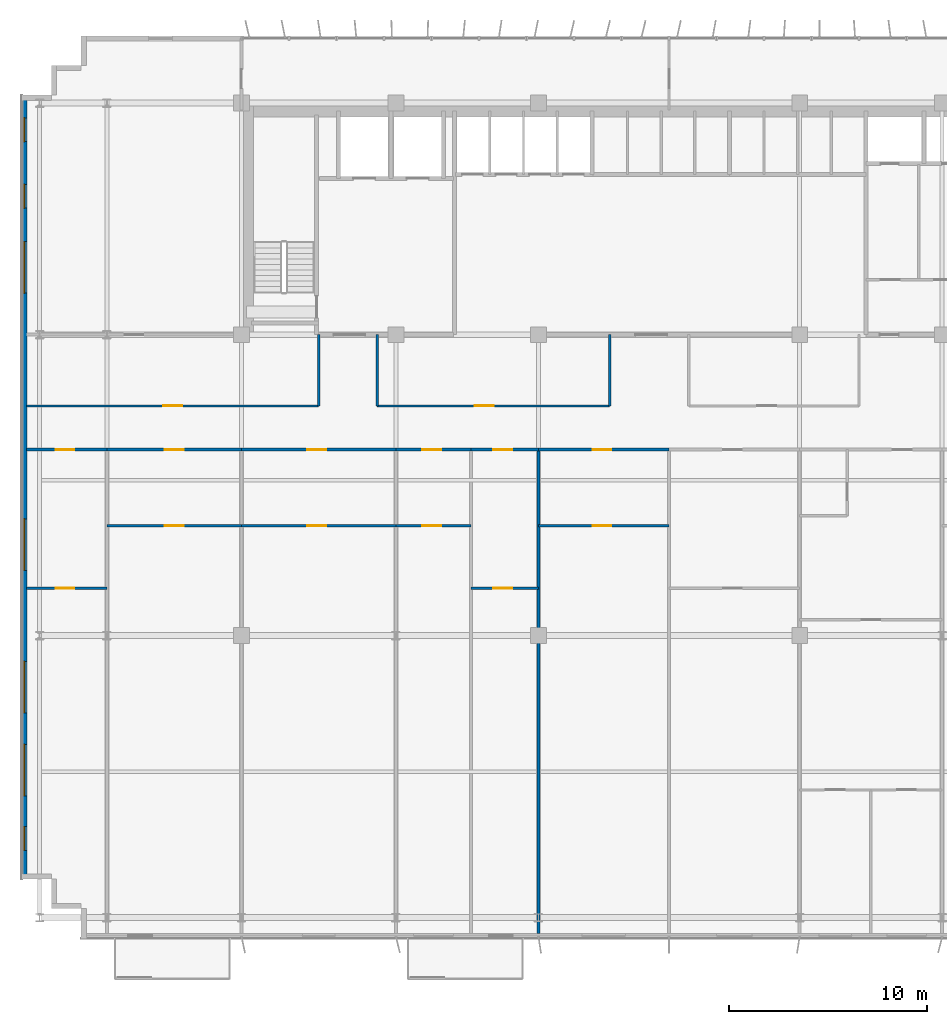
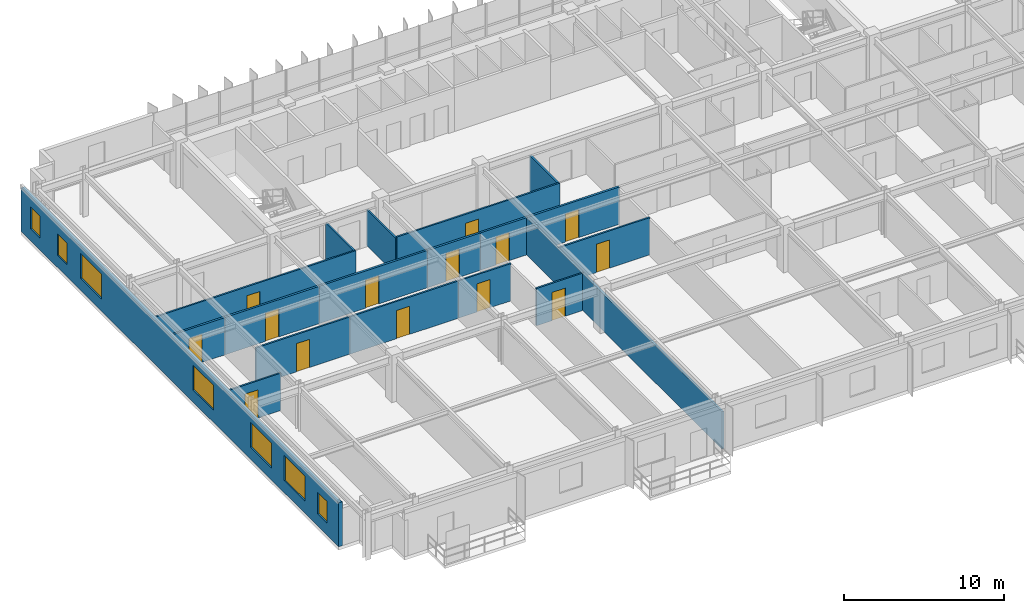
# One storey, part 14 of 21: 19 walls, 14 doors, 7 windows, 21 openings.
"""IFC4 building model written with IfcOpenShell, lengths in metres."""

from ifc_helpers import new_model, si_unit, direction, frame, frame_2d, origin, place, context, subcontext, project, spatial, rectangle, extrude, source, transform, mapped, material, layer, layer_set, type_object, element, fill, save


model = new_model("IFC4")

# Units and contexts
model_context = context("Model", 3, precision=1e-05, world=origin(), true_north=direction((0.0, 1.0)))
body_context = subcontext(model_context, "Body", "Model", "MODEL_VIEW")
ifc_project = project(units=[si_unit("LENGTHUNIT", "METRE"), si_unit("AREAUNIT", "SQUARE_METRE"), si_unit("VOLUMEUNIT", "CUBIC_METRE"), si_unit("PLANEANGLEUNIT", "RADIAN"), si_unit("MASSUNIT", "GRAM", prefix="KILO")], contexts=[model_context])

# Site, building, storey
site_placement = place(None, origin())
site = spatial("IfcSite", under=ifc_project, at=site_placement, CompositionType="ELEMENT")
building_placement = place(site_placement, origin())
building = spatial("IfcBuilding", under=site, at=building_placement, Name="Trelvane Seafront Commons", CompositionType="ELEMENT")
storey_placement = place(building_placement, frame((0.0, 0.0, 110.5)))
storey = spatial("IfcBuildingStorey", under=building, at=storey_placement, Name="L28", CompositionType="ELEMENT", Elevation=110.5)

# Wall, openings, windows
ifc_material_1 = material(Name="Precast concrete C40/50", Category="concrete")
ifc_layer_1 = layer(ifc_material_1, 0.260009765625, Name="ARCH-WALL-EXT260")
ifc_layer_set_1 = layer_set([ifc_layer_1], Name="Precast concrete C40/50")
wall_type_1 = type_object("IfcWallType", Name="ARCH-WALL-EXT260", PredefinedType="SOLIDWALL", material=ifc_layer_set_1)
wall_1_placement = place(storey_placement, frame((4.6298828125, 5.89990234375, 0.0), z_axis=(0.0, 0.0, 1.0), x_axis=(0.0, 1.0, 0.0)))
wall_1 = element("IfcWall", 1, at=wall_1_placement, inside=storey, type_object=wall_type_1, Name="EW-L28-00522", PredefinedType="SOLIDWALL", context=body_context, shape_type="SweptSolid", body=[
    extrude(rectangle(XDim=39.60009765625, YDim=0.260009765625, at=frame_2d((19.800048828125, 0.0))), origin(), (0.0, 0.0, 1.0), 3.340087890625),
])
opening_1_placement = place(wall_1_placement, frame((1.449951171875, 0.0, 0.919921875)))
opening_1 = element("IfcOpeningElement", 2, at=opening_1_placement, cuts=wall_1, Name="Opening W05", PredefinedType="OPENING", context=body_context, shape_type="SweptSolid", body=[
    extrude(rectangle(XDim=1.199951171875, YDim=1.64990234375, at=frame_2d((0.60009765625, 0.824951171875))), frame((0.0, 0.139892578125, 0.0), z_axis=(0.0, -1.0, 0.0), x_axis=(1.0, 0.0, 0.0)), (0.0, 0.0, 1.0), 0.280029296875),
])
opening_2_placement = place(wall_1_placement, frame((4.199951171875, 0.0, 0.919921875)))
opening_2 = element("IfcOpeningElement", 3, at=opening_2_placement, cuts=wall_1, Name="Opening W04", PredefinedType="OPENING", context=body_context, shape_type="SweptSolid", body=[
    extrude(rectangle(XDim=2.60009765625, YDim=1.89990234375, at=frame_2d((1.300048828125, 0.949951171875))), frame((0.0, 0.139892578125, 0.0), z_axis=(0.0, -1.0, 0.0), x_axis=(1.0, 0.0, 0.0)), (0.0, 0.0, 1.0), 0.280029296875),
])
opening_3_placement = place(wall_1_placement, frame((8.39990234375, 0.0, 0.919921875)))
opening_3 = element("IfcOpeningElement", 4, at=opening_3_placement, cuts=wall_1, Name="Opening W04", PredefinedType="OPENING", context=body_context, shape_type="SweptSolid", body=[
    extrude(rectangle(XDim=2.60009765625, YDim=1.89990234375, at=frame_2d((1.300048828125, 0.949951171875))), frame((0.0, 0.139892578125, 0.0), z_axis=(0.0, -1.0, 0.0), x_axis=(1.0, 0.0, 0.0)), (0.0, 0.0, 1.0), 0.280029296875),
])
opening_4_placement = place(wall_1_placement, frame((15.60009765625, 0.0, 0.919921875)))
opening_4 = element("IfcOpeningElement", 5, at=opening_4_placement, cuts=wall_1, Name="Opening W04", PredefinedType="OPENING", context=body_context, shape_type="SweptSolid", body=[
    extrude(rectangle(XDim=2.60009765625, YDim=1.89990234375, at=frame_2d((1.300048828125, 0.949951171875))), frame((0.0, 0.139892578125, 0.0), z_axis=(0.0, -1.0, 0.0), x_axis=(1.0, 0.0, 0.0)), (0.0, 0.0, 1.0), 0.280029296875),
])
opening_5_placement = place(wall_1_placement, frame((29.60009765625, 0.0, 0.919921875)))
opening_5 = element("IfcOpeningElement", 6, at=opening_5_placement, cuts=wall_1, Name="Opening W04", PredefinedType="OPENING", context=body_context, shape_type="SweptSolid", body=[
    extrude(rectangle(XDim=2.60009765625, YDim=1.89990234375, at=frame_2d((1.300048828125, 0.949951171875))), frame((0.0, 0.139892578125, 0.0), z_axis=(0.0, -1.0, 0.0), x_axis=(1.0, 0.0, 0.0)), (0.0, 0.0, 1.0), 0.280029296875),
])
opening_6_placement = place(wall_1_placement, frame((33.89990234375, 0.0, 0.919921875)))
opening_6 = element("IfcOpeningElement", 7, at=opening_6_placement, cuts=wall_1, Name="Opening W05", PredefinedType="OPENING", context=body_context, shape_type="SweptSolid", body=[
    extrude(rectangle(XDim=1.199951171875, YDim=1.64990234375, at=frame_2d((0.60009765625, 0.824951171875))), frame((0.0, 0.139892578125, 0.0), z_axis=(0.0, -1.0, 0.0), x_axis=(1.0, 0.0, 0.0)), (0.0, 0.0, 1.0), 0.280029296875),
])
opening_7_placement = place(wall_1_placement, frame((37.25, 0.0, 0.919921875)))
opening_7 = element("IfcOpeningElement", 8, at=opening_7_placement, cuts=wall_1, Name="Opening W05", PredefinedType="OPENING", context=body_context, shape_type="SweptSolid", body=[
    extrude(rectangle(XDim=1.199951171875, YDim=1.64990234375, at=frame_2d((0.60009765625, 0.824951171875))), frame((0.0, 0.139892578125, 0.0), z_axis=(0.0, -1.0, 0.0), x_axis=(1.0, 0.0, 0.0)), (0.0, 0.0, 1.0), 0.280029296875),
])
ifc_material_2 = material(Name="Low-E coastal double glazing", Category="glass")
window_type_1 = type_object("IfcWindowType", Name="ARCH-WIN-W04", PartitioningType="SINGLE_PANEL", PredefinedType="WINDOW", material=ifc_material_2)
shared_shape_1 = source(origin(), body_context, "Body", "SweptSolid", [
    extrude(rectangle(XDim=2.60009765625, YDim=1.89990234375, at=frame_2d((1.300048828125, 0.949951171875))), frame((0.0, 0.030029296875, 0.0), z_axis=(0.0, -1.0, 0.0), x_axis=(1.0, 0.0, 0.0)), (0.0, 0.0, 1.0), 0.06005859375),
])
window_1_placement = place(opening_2_placement, origin())
window_1 = element("IfcWindow", 9, at=window_1_placement, inside=storey, type_object=window_type_1, Name="WIN-L28-EW-00613", OverallHeight=1.89990234375, OverallWidth=2.60009765625, PartitioningType="SINGLE_PANEL", PredefinedType="WINDOW", context=body_context, shape_type="MappedRepresentation", body=[
    mapped(shared_shape_1, transform((0.0, 0.0, 0.0), x_axis=(1.0, 0.0, 0.0), y_axis=(0.0, 1.0, 0.0), z_axis=(0.0, 0.0, 1.0), scale=1.0)),
])
fill(opening_2, window_1)
window_2_placement = place(opening_3_placement, origin())
window_2 = element("IfcWindow", 10, at=window_2_placement, inside=storey, type_object=window_type_1, Name="WIN-L28-EW-00614", OverallHeight=1.89990234375, OverallWidth=2.60009765625, PartitioningType="SINGLE_PANEL", PredefinedType="WINDOW", context=body_context, shape_type="MappedRepresentation", body=[
    mapped(shared_shape_1, transform((0.0, 0.0, 0.0), x_axis=(1.0, 0.0, 0.0), y_axis=(0.0, 1.0, 0.0), z_axis=(0.0, 0.0, 1.0), scale=1.0)),
])
fill(opening_3, window_2)
window_3_placement = place(opening_4_placement, origin())
window_3 = element("IfcWindow", 11, at=window_3_placement, inside=storey, type_object=window_type_1, Name="WIN-L28-EW-00615", OverallHeight=1.89990234375, OverallWidth=2.60009765625, PartitioningType="SINGLE_PANEL", PredefinedType="WINDOW", context=body_context, shape_type="MappedRepresentation", body=[
    mapped(shared_shape_1, transform((0.0, 0.0, 0.0), x_axis=(1.0, 0.0, 0.0), y_axis=(0.0, 1.0, 0.0), z_axis=(0.0, 0.0, 1.0), scale=1.0)),
])
fill(opening_4, window_3)
window_4_placement = place(opening_5_placement, origin())
window_4 = element("IfcWindow", 12, at=window_4_placement, inside=storey, type_object=window_type_1, Name="WIN-L28-EW-00616", OverallHeight=1.89990234375, OverallWidth=2.60009765625, PartitioningType="SINGLE_PANEL", PredefinedType="WINDOW", context=body_context, shape_type="MappedRepresentation", body=[
    mapped(shared_shape_1, transform((0.0, 0.0, 0.0), x_axis=(1.0, 0.0, 0.0), y_axis=(0.0, 1.0, 0.0), z_axis=(0.0, 0.0, 1.0), scale=1.0)),
])
fill(opening_5, window_4)
window_type_2 = type_object("IfcWindowType", Name="ARCH-WIN-W05", PartitioningType="SINGLE_PANEL", PredefinedType="WINDOW", material=ifc_material_2)
shared_shape_2 = source(origin(), body_context, "Body", "SweptSolid", [
    extrude(rectangle(XDim=1.199951171875, YDim=1.64990234375, at=frame_2d((0.60009765625, 0.824951171875))), frame((0.0, 0.030029296875, 0.0), z_axis=(0.0, -1.0, 0.0), x_axis=(1.0, 0.0, 0.0)), (0.0, 0.0, 1.0), 0.06005859375),
])
window_5_placement = place(opening_1_placement, origin())
window_5 = element("IfcWindow", 13, at=window_5_placement, inside=storey, type_object=window_type_2, Name="WIN-L28-EW-00612", OverallHeight=1.64990234375, OverallWidth=1.199951171875, PartitioningType="SINGLE_PANEL", PredefinedType="WINDOW", context=body_context, shape_type="MappedRepresentation", body=[
    mapped(shared_shape_2, transform((0.0, 0.0, 0.0), x_axis=(1.0, 0.0, 0.0), y_axis=(0.0, 1.0, 0.0), z_axis=(0.0, 0.0, 1.0), scale=1.0)),
])
fill(opening_1, window_5)
window_6_placement = place(opening_6_placement, origin())
window_6 = element("IfcWindow", 14, at=window_6_placement, inside=storey, type_object=window_type_2, Name="WIN-L28-EW-00617", OverallHeight=1.64990234375, OverallWidth=1.199951171875, PartitioningType="SINGLE_PANEL", PredefinedType="WINDOW", context=body_context, shape_type="MappedRepresentation", body=[
    mapped(shared_shape_2, transform((0.0, 0.0, 0.0), x_axis=(1.0, 0.0, 0.0), y_axis=(0.0, 1.0, 0.0), z_axis=(0.0, 0.0, 1.0), scale=1.0)),
])
fill(opening_6, window_6)
window_7_placement = place(opening_7_placement, origin())
window_7 = element("IfcWindow", 15, at=window_7_placement, inside=storey, type_object=window_type_2, Name="WIN-L28-EW-00618", OverallHeight=1.64990234375, OverallWidth=1.199951171875, PartitioningType="SINGLE_PANEL", PredefinedType="WINDOW", context=body_context, shape_type="MappedRepresentation", body=[
    mapped(shared_shape_2, transform((0.0, 0.0, 0.0), x_axis=(1.0, 0.0, 0.0), y_axis=(0.0, 1.0, 0.0), z_axis=(0.0, 0.0, 1.0), scale=1.0)),
])
fill(opening_7, window_7)

# Wall, opening, door
ifc_material_3 = material(Name="Gypsum Drywall Acoustic Partition")
ifc_layer_2 = layer(ifc_material_3, 0.1201171875, Name="ARCH-WALL-PART120")
ifc_layer_set_2 = layer_set([ifc_layer_2], Name="Gypsum Drywall Acoustic Partition")
wall_type_2 = type_object("IfcWallType", Name="ARCH-WALL-PART120", PredefinedType="PARTITIONING", material=ifc_layer_set_2)
wall_2_placement = place(storey_placement, frame((4.75, 29.800048828125, 0.0), z_axis=(0.0, 0.0, 1.0), x_axis=(1.0, 0.0, 0.0)))
wall_2 = element("IfcWall", 16, at=wall_2_placement, inside=storey, type_object=wall_type_2, Name="W-L28-CORR-N-W-038", PredefinedType="PARTITIONING", context=body_context, shape_type="SweptSolid", body=[
    extrude(rectangle(XDim=14.75, YDim=0.1201171875, at=frame_2d((7.375, 0.0))), origin(), (0.0, 0.0, 1.0), 2.840087890625),
])
opening_8_placement = place(wall_2_placement, frame((6.89990234375, 0.0, 0.0)))
opening_8 = element("IfcOpeningElement", 17, at=opening_8_placement, cuts=wall_2, Name="Opening D-L28-18", PredefinedType="OPENING", context=body_context, shape_type="SweptSolid", body=[
    extrude(rectangle(XDim=0.949951171875, YDim=2.14990234375, at=frame_2d((0.47509765625, 1.074951171875))), frame((0.0, 0.070068359375, 0.0), z_axis=(0.0, -1.0, 0.0), x_axis=(1.0, 0.0, 0.0)), (0.0, 0.0, 1.0), 0.14013671875),
])
ifc_material_4 = material(Name="Acoustic timber door leaf", Category="wood")
door_type_1 = type_object("IfcDoorType", Name="ARCH-DR-INT950", OperationType="NOTDEFINED", PredefinedType="DOOR", material=ifc_material_4)
shared_shape_3 = source(origin(), body_context, "Body", "SweptSolid", [
    extrude(rectangle(XDim=0.949951171875, YDim=2.14990234375, at=frame_2d((0.47509765625, 1.074951171875))), frame((0.0, 0.02490234375, 0.0), z_axis=(0.0, -1.0, 0.0), x_axis=(1.0, 0.0, 0.0)), (0.0, 0.0, 1.0), 0.050048828125),
])
door_1_placement = place(opening_8_placement, origin())
door_1 = element("IfcDoor", 18, at=door_1_placement, inside=storey, type_object=door_type_1, Name="L28 Door 18", OperationType="SINGLE_SWING_RIGHT", OverallHeight=2.14990234375, OverallWidth=0.949951171875, PredefinedType="DOOR", context=body_context, shape_type="MappedRepresentation", body=[
    mapped(shared_shape_3, transform((0.0, 0.0, 0.0), x_axis=(1.0, 0.0, 0.0), y_axis=(0.0, 1.0, 0.0), z_axis=(0.0, 0.0, 1.0), scale=1.0)),
])
fill(opening_8, door_1)

wall_3_placement = place(storey_placement, frame((22.449951171875, 29.800048828125, 0.0), z_axis=(0.0, 0.0, 1.0), x_axis=(1.0, 0.0, 0.0)))
wall_3 = element("IfcWall", 19, at=wall_3_placement, inside=storey, type_object=wall_type_2, Name="W-L28-CORR-N-M1-039", PredefinedType="PARTITIONING", context=body_context, shape_type="SweptSolid", body=[
    extrude(rectangle(XDim=11.75, YDim=0.1201171875, at=frame_2d((5.875, 0.0))), origin(), (0.0, 0.0, 1.0), 2.840087890625),
])
opening_9_placement = place(wall_3_placement, frame((4.944091796875, 0.0, 0.0)))
opening_9 = element("IfcOpeningElement", 20, at=opening_9_placement, cuts=wall_3, Name="Opening D-L28-19", PredefinedType="OPENING", context=body_context, shape_type="SweptSolid", body=[
    extrude(rectangle(XDim=0.949951171875, YDim=2.14990234375, at=frame_2d((0.47509765625, 1.074951171875))), frame((0.0, 0.070068359375, 0.0), z_axis=(0.0, -1.0, 0.0), x_axis=(1.0, 0.0, 0.0)), (0.0, 0.0, 1.0), 0.14013671875),
])
door_2_placement = place(opening_9_placement, origin())
door_2 = element("IfcDoor", 21, at=door_2_placement, inside=storey, type_object=door_type_1, Name="L28 Door 19", OperationType="SINGLE_SWING_LEFT", OverallHeight=2.14990234375, OverallWidth=0.949951171875, PredefinedType="DOOR", context=body_context, shape_type="MappedRepresentation", body=[
    mapped(shared_shape_3, transform((0.0, 0.0, 0.0), x_axis=(1.0, 0.0, 0.0), y_axis=(0.0, 1.0, 0.0), z_axis=(0.0, 0.0, 1.0), scale=1.0)),
])
fill(opening_9, door_2)

# Walls
for number, where, z_axis, x_axis, name in (
    (22, (19.5, 29.800048828125, 0.0), (0.0, 0.0, 1.0), (0.0, 1.0, 0.0), "W-L28-N-SPUR-W1-043"),
    (23, (22.449951171875, 29.800048828125, 0.0), (0.0, 0.0, 1.0), (0.0, 1.0, 0.0), "W-L28-N-SPUR-W2-044"),
    (24, (34.199951171875, 29.800048828125, 0.0), (0.0, 0.0, 1.0), (0.0, 1.0, 0.0), "W-L28-N-SPUR-M1-045"),
):
    element("IfcWall", number, at=place(storey_placement, frame(where, z_axis=z_axis, x_axis=x_axis)), inside=storey, type_object=wall_type_2, Name=name, PredefinedType="PARTITIONING", context=body_context, shape_type="SweptSolid", body=[
        extrude(rectangle(XDim=3.599853515625, YDim=0.1201171875, at=frame_2d((1.7998046875, 0.0))), origin(), (0.0, 0.0, 1.0), 2.751953125),
    ])

# Wall, opening, door
wall_4_placement = place(storey_placement, frame((4.7451171875, 20.60009765625, 0.0), z_axis=(0.0, 0.0, 1.0), x_axis=(1.0, 0.0, 0.0)))
wall_4 = element("IfcWall", 25, at=wall_4_placement, inside=storey, type_object=wall_type_2, Name="W-L28-U1-DIV-066", PredefinedType="PARTITIONING", context=body_context, shape_type="SweptSolid", body=[
    extrude(rectangle(XDim=4.054931640625, YDim=0.1201171875, at=frame_2d((2.02734375, 0.0))), origin(), (0.0, 0.0, 1.0), 2.840087890625),
])
opening_10_placement = place(wall_4_placement, frame((1.4619140625, 0.0, 0.0)))
opening_10 = element("IfcOpeningElement", 26, at=opening_10_placement, cuts=wall_4, Name="Opening D-L28-29", PredefinedType="OPENING", context=body_context, shape_type="SweptSolid", body=[
    extrude(rectangle(XDim=0.949951171875, YDim=2.14990234375, at=frame_2d((0.47509765625, 1.074951171875))), frame((0.0, 0.070068359375, 0.0), z_axis=(0.0, -1.0, 0.0), x_axis=(1.0, 0.0, 0.0)), (0.0, 0.0, 1.0), 0.14013671875),
])
door_3_placement = place(opening_10_placement, origin())
door_3 = element("IfcDoor", 27, at=door_3_placement, inside=storey, type_object=door_type_1, Name="L28 Door 29", OperationType="SINGLE_SWING_LEFT", OverallHeight=2.14990234375, OverallWidth=0.949951171875, PredefinedType="DOOR", context=body_context, shape_type="MappedRepresentation", body=[
    mapped(shared_shape_3, transform((0.0, 0.0, 0.0), x_axis=(1.0, 0.0, 0.0), y_axis=(0.0, 1.0, 0.0), z_axis=(0.0, 0.0, 1.0), scale=1.0)),
])
fill(opening_10, door_3)

wall_5_placement = place(storey_placement, frame((8.800048828125, 23.75, 0.0), z_axis=(0.0, 0.0, 1.0), x_axis=(1.0, 0.0, 0.0)))
wall_5 = element("IfcWall", 28, at=wall_5_placement, inside=storey, type_object=wall_type_2, Name="W-L28-U2-DIV-068", PredefinedType="PARTITIONING", context=body_context, shape_type="SweptSolid", body=[
    extrude(rectangle(XDim=6.800048828125, YDim=0.1201171875, at=frame_2d((3.39990234375, 0.0))), origin(), (0.0, 0.0, 1.0), 2.840087890625),
])
opening_11_placement = place(wall_5_placement, frame((2.925048828125, 0.0, 0.0)))
opening_11 = element("IfcOpeningElement", 29, at=opening_11_placement, cuts=wall_5, Name="Opening D-L28-31", PredefinedType="OPENING", context=body_context, shape_type="SweptSolid", body=[
    extrude(rectangle(XDim=0.949951171875, YDim=2.14990234375, at=frame_2d((0.47509765625, 1.074951171875))), frame((0.0, 0.070068359375, 0.0), z_axis=(0.0, -1.0, 0.0), x_axis=(1.0, 0.0, 0.0)), (0.0, 0.0, 1.0), 0.14013671875),
])
door_4_placement = place(opening_11_placement, origin())
door_4 = element("IfcDoor", 30, at=door_4_placement, inside=storey, type_object=door_type_1, Name="L28 Door 31", OperationType="SINGLE_SWING_LEFT", OverallHeight=2.14990234375, OverallWidth=0.949951171875, PredefinedType="DOOR", context=body_context, shape_type="MappedRepresentation", body=[
    mapped(shared_shape_3, transform((0.0, 0.0, 0.0), x_axis=(1.0, 0.0, 0.0), y_axis=(0.0, 1.0, 0.0), z_axis=(0.0, 0.0, 1.0), scale=1.0)),
])
fill(opening_11, door_4)

wall_6_placement = place(storey_placement, frame((15.60009765625, 23.75, 0.0), z_axis=(0.0, 0.0, 1.0), x_axis=(1.0, 0.0, 0.0)))
wall_6 = element("IfcWall", 31, at=wall_6_placement, inside=storey, type_object=wall_type_2, Name="W-L28-U3-DIV-070", PredefinedType="PARTITIONING", context=body_context, shape_type="SweptSolid", body=[
    extrude(rectangle(XDim=7.7998046875, YDim=0.1201171875, at=frame_2d((3.89990234375, 0.0))), origin(), (0.0, 0.0, 1.0), 2.840087890625),
])
opening_12_placement = place(wall_6_placement, frame((3.3330078125, 0.0, 0.0)))
opening_12 = element("IfcOpeningElement", 32, at=opening_12_placement, cuts=wall_6, Name="Opening D-L28-33", PredefinedType="OPENING", context=body_context, shape_type="SweptSolid", body=[
    extrude(rectangle(XDim=0.949951171875, YDim=2.14990234375, at=frame_2d((0.47509765625, 1.074951171875))), frame((0.0, 0.070068359375, 0.0), z_axis=(0.0, -1.0, 0.0), x_axis=(1.0, 0.0, 0.0)), (0.0, 0.0, 1.0), 0.14013671875),
])
door_5_placement = place(opening_12_placement, origin())
door_5 = element("IfcDoor", 33, at=door_5_placement, inside=storey, type_object=door_type_1, Name="L28 Door 33", OperationType="SINGLE_SWING_LEFT", OverallHeight=2.14990234375, OverallWidth=0.949951171875, PredefinedType="DOOR", context=body_context, shape_type="MappedRepresentation", body=[
    mapped(shared_shape_3, transform((0.0, 0.0, 0.0), x_axis=(1.0, 0.0, 0.0), y_axis=(0.0, 1.0, 0.0), z_axis=(0.0, 0.0, 1.0), scale=1.0)),
])
fill(opening_12, door_5)

wall_7_placement = place(storey_placement, frame((23.39990234375, 23.75, 0.0), z_axis=(0.0, 0.0, 1.0), x_axis=(1.0, 0.0, 0.0)))
wall_7 = element("IfcWall", 34, at=wall_7_placement, inside=storey, type_object=wall_type_2, Name="W-L28-U4-DIV-072", PredefinedType="PARTITIONING", context=body_context, shape_type="SweptSolid", body=[
    extrude(rectangle(XDim=3.800048828125, YDim=0.1201171875, at=frame_2d((1.89990234375, 0.0))), origin(), (0.0, 0.0, 1.0), 2.840087890625),
])
opening_13_placement = place(wall_7_placement, frame((1.330078125, 0.0, 0.0)))
opening_13 = element("IfcOpeningElement", 35, at=opening_13_placement, cuts=wall_7, Name="Opening D-L28-35", PredefinedType="OPENING", context=body_context, shape_type="SweptSolid", body=[
    extrude(rectangle(XDim=0.949951171875, YDim=2.14990234375, at=frame_2d((0.47509765625, 1.074951171875))), frame((0.0, 0.070068359375, 0.0), z_axis=(0.0, -1.0, 0.0), x_axis=(1.0, 0.0, 0.0)), (0.0, 0.0, 1.0), 0.14013671875),
])
door_6_placement = place(opening_13_placement, origin())
door_6 = element("IfcDoor", 36, at=door_6_placement, inside=storey, type_object=door_type_1, Name="L28 Door 35", OperationType="SINGLE_SWING_LEFT", OverallHeight=2.14990234375, OverallWidth=0.949951171875, PredefinedType="DOOR", context=body_context, shape_type="MappedRepresentation", body=[
    mapped(shared_shape_3, transform((0.0, 0.0, 0.0), x_axis=(1.0, 0.0, 0.0), y_axis=(0.0, 1.0, 0.0), z_axis=(0.0, 0.0, 1.0), scale=1.0)),
])
fill(opening_13, door_6)

wall_8_placement = place(storey_placement, frame((27.199951171875, 20.60009765625, 0.0), z_axis=(0.0, 0.0, 1.0), x_axis=(1.0, 0.0, 0.0)))
wall_8 = element("IfcWall", 37, at=wall_8_placement, inside=storey, type_object=wall_type_2, Name="W-L28-U5-DIV-074", PredefinedType="PARTITIONING", context=body_context, shape_type="SweptSolid", body=[
    extrude(rectangle(XDim=3.400146484375, YDim=0.1201171875, at=frame_2d((1.7001953125, 0.0))), origin(), (0.0, 0.0, 1.0), 2.840087890625),
])
opening_14_placement = place(wall_8_placement, frame((1.131103515625, 0.0, 0.0)))
opening_14 = element("IfcOpeningElement", 38, at=opening_14_placement, cuts=wall_8, Name="Opening D-L28-37", PredefinedType="OPENING", context=body_context, shape_type="SweptSolid", body=[
    extrude(rectangle(XDim=0.949951171875, YDim=2.14990234375, at=frame_2d((0.47509765625, 1.074951171875))), frame((0.0, 0.070068359375, 0.0), z_axis=(0.0, -1.0, 0.0), x_axis=(1.0, 0.0, 0.0)), (0.0, 0.0, 1.0), 0.14013671875),
])
door_7_placement = place(opening_14_placement, origin())
door_7 = element("IfcDoor", 39, at=door_7_placement, inside=storey, type_object=door_type_1, Name="L28 Door 37", OperationType="SINGLE_SWING_LEFT", OverallHeight=2.14990234375, OverallWidth=0.949951171875, PredefinedType="DOOR", context=body_context, shape_type="MappedRepresentation", body=[
    mapped(shared_shape_3, transform((0.0, 0.0, 0.0), x_axis=(1.0, 0.0, 0.0), y_axis=(0.0, 1.0, 0.0), z_axis=(0.0, 0.0, 1.0), scale=1.0)),
])
fill(opening_14, door_7)

wall_9_placement = place(storey_placement, frame((30.60009765625, 23.75, 0.0), z_axis=(0.0, 0.0, 1.0), x_axis=(1.0, 0.0, 0.0)))
wall_9 = element("IfcWall", 40, at=wall_9_placement, inside=storey, type_object=wall_type_2, Name="W-L28-U6-DIV-076", PredefinedType="PARTITIONING", context=body_context, shape_type="SweptSolid", body=[
    extrude(rectangle(XDim=6.599853515625, YDim=0.1201171875, at=frame_2d((3.2998046875, 0.0))), origin(), (0.0, 0.0, 1.0), 2.840087890625),
])
opening_15_placement = place(wall_9_placement, frame((2.73388671875, 0.0, 0.0)))
opening_15 = element("IfcOpeningElement", 41, at=opening_15_placement, cuts=wall_9, Name="Opening D-L28-39", PredefinedType="OPENING", context=body_context, shape_type="SweptSolid", body=[
    extrude(rectangle(XDim=0.949951171875, YDim=2.14990234375, at=frame_2d((0.47509765625, 1.074951171875))), frame((0.0, 0.070068359375, 0.0), z_axis=(0.0, -1.0, 0.0), x_axis=(1.0, 0.0, 0.0)), (0.0, 0.0, 1.0), 0.14013671875),
])
door_8_placement = place(opening_15_placement, origin())
door_8 = element("IfcDoor", 42, at=door_8_placement, inside=storey, type_object=door_type_1, Name="L28 Door 39", OperationType="SINGLE_SWING_LEFT", OverallHeight=2.14990234375, OverallWidth=0.949951171875, PredefinedType="DOOR", context=body_context, shape_type="MappedRepresentation", body=[
    mapped(shared_shape_3, transform((0.0, 0.0, 0.0), x_axis=(1.0, 0.0, 0.0), y_axis=(0.0, 1.0, 0.0), z_axis=(0.0, 0.0, 1.0), scale=1.0)),
])
fill(opening_15, door_8)

# Wall
ifc_layer_3 = layer(ifc_material_3, 0.14990234375, Name="ARCH-WALL-PART150")
ifc_layer_set_3 = layer_set([ifc_layer_3], Name="Gypsum Drywall Acoustic Partition")
wall_type_3 = type_object("IfcWallType", Name="ARCH-WALL-PART150", PredefinedType="PARTITIONING", material=ifc_layer_set_3)
wall_10_placement = place(storey_placement, frame((30.60009765625, 3.14501953125, 0.0), z_axis=(0.0, 0.0, 1.0), x_axis=(0.0, 1.0, 0.0)))
element("IfcWall", 43, at=wall_10_placement, inside=storey, type_object=wall_type_3, Name="W-L28-PW-5-058", PredefinedType="PARTITIONING", context=body_context, shape_type="SweptSolid", body=[
    extrude(rectangle(XDim=24.455078125, YDim=0.14990234375, at=frame_2d((12.2275390625, 0.0))), origin(), (0.0, 0.0, 1.0), 2.840087890625),
])

# Wall, opening, door
wall_11_placement = place(storey_placement, frame((4.7451171875, 27.60009765625, 0.0), z_axis=(0.0, 0.0, 1.0), x_axis=(1.0, 0.0, 0.0)))
wall_11 = element("IfcWall", 44, at=wall_11_placement, inside=storey, type_object=wall_type_3, Name="W-L28-CS-BAY-1-065", PredefinedType="PARTITIONING", context=body_context, shape_type="SweptSolid", body=[
    extrude(rectangle(XDim=4.054931640625, YDim=0.14990234375, at=frame_2d((2.02734375, 0.0))), origin(), (0.0, 0.0, 1.0), 2.840087890625),
])
opening_16_placement = place(wall_11_placement, frame((1.4619140625, 0.0, 0.0)))
opening_16 = element("IfcOpeningElement", 45, at=opening_16_placement, cuts=wall_11, Name="Opening FD-L28-28", PredefinedType="OPENING", context=body_context, shape_type="SweptSolid", body=[
    extrude(rectangle(XDim=0.949951171875, YDim=2.14990234375, at=frame_2d((0.47509765625, 1.074951171875))), frame((0.0, 0.0849609375, 0.0), z_axis=(0.0, -1.0, 0.0), x_axis=(1.0, 0.0, 0.0)), (0.0, 0.0, 1.0), 0.169921875),
])
ifc_material_5 = material(Name="Powder-coated aluminium frame", Category="aluminium")
door_type_2 = type_object("IfcDoorType", Name="ARCH-DR-FD60-950", OperationType="NOTDEFINED", PredefinedType="DOOR", material=ifc_material_5)
door_9_placement = place(opening_16_placement, origin())
door_9 = element("IfcDoor", 46, at=door_9_placement, inside=storey, type_object=door_type_2, Name="L28 Bay 01 Entrance Door", OperationType="SINGLE_SWING_RIGHT", OverallHeight=2.14990234375, OverallWidth=0.949951171875, PredefinedType="DOOR", context=body_context, shape_type="MappedRepresentation", body=[
    mapped(shared_shape_3, transform((0.0, 0.0, 0.0), x_axis=(1.0, 0.0, 0.0), y_axis=(0.0, 1.0, 0.0), z_axis=(0.0, 0.0, 1.0), scale=1.0)),
])
fill(opening_16, door_9)

wall_12_placement = place(storey_placement, frame((8.800048828125, 27.60009765625, 0.0), z_axis=(0.0, 0.0, 1.0), x_axis=(1.0, 0.0, 0.0)))
wall_12 = element("IfcWall", 47, at=wall_12_placement, inside=storey, type_object=wall_type_3, Name="W-L28-CS-BAY-2-067", PredefinedType="PARTITIONING", context=body_context, shape_type="SweptSolid", body=[
    extrude(rectangle(XDim=6.800048828125, YDim=0.14990234375, at=frame_2d((3.39990234375, 0.0))), origin(), (0.0, 0.0, 1.0), 2.840087890625),
])
opening_17_placement = place(wall_12_placement, frame((2.925048828125, 0.0, 0.0)))
opening_17 = element("IfcOpeningElement", 48, at=opening_17_placement, cuts=wall_12, Name="Opening FD-L28-30", PredefinedType="OPENING", context=body_context, shape_type="SweptSolid", body=[
    extrude(rectangle(XDim=0.949951171875, YDim=2.14990234375, at=frame_2d((0.47509765625, 1.074951171875))), frame((0.0, 0.0849609375, 0.0), z_axis=(0.0, -1.0, 0.0), x_axis=(1.0, 0.0, 0.0)), (0.0, 0.0, 1.0), 0.169921875),
])
door_10_placement = place(opening_17_placement, origin())
door_10 = element("IfcDoor", 49, at=door_10_placement, inside=storey, type_object=door_type_2, Name="L28 Bay 02 Entrance Door", OperationType="SINGLE_SWING_RIGHT", OverallHeight=2.14990234375, OverallWidth=0.949951171875, PredefinedType="DOOR", context=body_context, shape_type="MappedRepresentation", body=[
    mapped(shared_shape_3, transform((0.0, 0.0, 0.0), x_axis=(1.0, 0.0, 0.0), y_axis=(0.0, 1.0, 0.0), z_axis=(0.0, 0.0, 1.0), scale=1.0)),
])
fill(opening_17, door_10)

wall_13_placement = place(storey_placement, frame((15.60009765625, 27.60009765625, 0.0), z_axis=(0.0, 0.0, 1.0), x_axis=(1.0, 0.0, 0.0)))
wall_13 = element("IfcWall", 50, at=wall_13_placement, inside=storey, type_object=wall_type_3, Name="W-L28-CS-BAY-3-069", PredefinedType="PARTITIONING", context=body_context, shape_type="SweptSolid", body=[
    extrude(rectangle(XDim=7.7998046875, YDim=0.14990234375, at=frame_2d((3.89990234375, 0.0))), origin(), (0.0, 0.0, 1.0), 2.840087890625),
])
opening_18_placement = place(wall_13_placement, frame((3.3330078125, 0.0, 0.0)))
opening_18 = element("IfcOpeningElement", 51, at=opening_18_placement, cuts=wall_13, Name="Opening FD-L28-32", PredefinedType="OPENING", context=body_context, shape_type="SweptSolid", body=[
    extrude(rectangle(XDim=0.949951171875, YDim=2.14990234375, at=frame_2d((0.47509765625, 1.074951171875))), frame((0.0, 0.0849609375, 0.0), z_axis=(0.0, -1.0, 0.0), x_axis=(1.0, 0.0, 0.0)), (0.0, 0.0, 1.0), 0.169921875),
])
door_11_placement = place(opening_18_placement, origin())
door_11 = element("IfcDoor", 52, at=door_11_placement, inside=storey, type_object=door_type_2, Name="L28 Bay 03 Entrance Door", OperationType="SINGLE_SWING_RIGHT", OverallHeight=2.14990234375, OverallWidth=0.949951171875, PredefinedType="DOOR", context=body_context, shape_type="MappedRepresentation", body=[
    mapped(shared_shape_3, transform((0.0, 0.0, 0.0), x_axis=(1.0, 0.0, 0.0), y_axis=(0.0, 1.0, 0.0), z_axis=(0.0, 0.0, 1.0), scale=1.0)),
])
fill(opening_18, door_11)

wall_14_placement = place(storey_placement, frame((23.39990234375, 27.60009765625, 0.0), z_axis=(0.0, 0.0, 1.0), x_axis=(1.0, 0.0, 0.0)))
wall_14 = element("IfcWall", 53, at=wall_14_placement, inside=storey, type_object=wall_type_3, Name="W-L28-CS-BAY-4-071", PredefinedType="PARTITIONING", context=body_context, shape_type="SweptSolid", body=[
    extrude(rectangle(XDim=3.800048828125, YDim=0.14990234375, at=frame_2d((1.89990234375, 0.0))), origin(), (0.0, 0.0, 1.0), 2.840087890625),
])
opening_19_placement = place(wall_14_placement, frame((1.330078125, 0.0, 0.0)))
opening_19 = element("IfcOpeningElement", 54, at=opening_19_placement, cuts=wall_14, Name="Opening FD-L28-34", PredefinedType="OPENING", context=body_context, shape_type="SweptSolid", body=[
    extrude(rectangle(XDim=0.949951171875, YDim=2.14990234375, at=frame_2d((0.47509765625, 1.074951171875))), frame((0.0, 0.0849609375, 0.0), z_axis=(0.0, -1.0, 0.0), x_axis=(1.0, 0.0, 0.0)), (0.0, 0.0, 1.0), 0.169921875),
])
door_12_placement = place(opening_19_placement, origin())
door_12 = element("IfcDoor", 55, at=door_12_placement, inside=storey, type_object=door_type_2, Name="L28 Bay 04 Entrance Door", OperationType="SINGLE_SWING_RIGHT", OverallHeight=2.14990234375, OverallWidth=0.949951171875, PredefinedType="DOOR", context=body_context, shape_type="MappedRepresentation", body=[
    mapped(shared_shape_3, transform((0.0, 0.0, 0.0), x_axis=(1.0, 0.0, 0.0), y_axis=(0.0, 1.0, 0.0), z_axis=(0.0, 0.0, 1.0), scale=1.0)),
])
fill(opening_19, door_12)

wall_15_placement = place(storey_placement, frame((27.199951171875, 27.60009765625, 0.0), z_axis=(0.0, 0.0, 1.0), x_axis=(1.0, 0.0, 0.0)))
wall_15 = element("IfcWall", 56, at=wall_15_placement, inside=storey, type_object=wall_type_3, Name="W-L28-CS-BAY-5-073", PredefinedType="PARTITIONING", context=body_context, shape_type="SweptSolid", body=[
    extrude(rectangle(XDim=3.400146484375, YDim=0.14990234375, at=frame_2d((1.7001953125, 0.0))), origin(), (0.0, 0.0, 1.0), 2.840087890625),
])
opening_20_placement = place(wall_15_placement, frame((1.131103515625, 0.0, 0.0)))
opening_20 = element("IfcOpeningElement", 57, at=opening_20_placement, cuts=wall_15, Name="Opening FD-L28-36", PredefinedType="OPENING", context=body_context, shape_type="SweptSolid", body=[
    extrude(rectangle(XDim=0.949951171875, YDim=2.14990234375, at=frame_2d((0.47509765625, 1.074951171875))), frame((0.0, 0.0849609375, 0.0), z_axis=(0.0, -1.0, 0.0), x_axis=(1.0, 0.0, 0.0)), (0.0, 0.0, 1.0), 0.169921875),
])
door_13_placement = place(opening_20_placement, origin())
door_13 = element("IfcDoor", 58, at=door_13_placement, inside=storey, type_object=door_type_2, Name="L28 Bay 05 Entrance Door", OperationType="SINGLE_SWING_RIGHT", OverallHeight=2.14990234375, OverallWidth=0.949951171875, PredefinedType="DOOR", context=body_context, shape_type="MappedRepresentation", body=[
    mapped(shared_shape_3, transform((0.0, 0.0, 0.0), x_axis=(1.0, 0.0, 0.0), y_axis=(0.0, 1.0, 0.0), z_axis=(0.0, 0.0, 1.0), scale=1.0)),
])
fill(opening_20, door_13)

wall_16_placement = place(storey_placement, frame((30.60009765625, 27.60009765625, 0.0), z_axis=(0.0, 0.0, 1.0), x_axis=(1.0, 0.0, 0.0)))
wall_16 = element("IfcWall", 59, at=wall_16_placement, inside=storey, type_object=wall_type_3, Name="W-L28-CS-BAY-6-075", PredefinedType="PARTITIONING", context=body_context, shape_type="SweptSolid", body=[
    extrude(rectangle(XDim=6.599853515625, YDim=0.14990234375, at=frame_2d((3.2998046875, 0.0))), origin(), (0.0, 0.0, 1.0), 2.840087890625),
])
opening_21_placement = place(wall_16_placement, frame((2.73388671875, 0.0, 0.0)))
opening_21 = element("IfcOpeningElement", 60, at=opening_21_placement, cuts=wall_16, Name="Opening FD-L28-38", PredefinedType="OPENING", context=body_context, shape_type="SweptSolid", body=[
    extrude(rectangle(XDim=0.949951171875, YDim=2.14990234375, at=frame_2d((0.47509765625, 1.074951171875))), frame((0.0, 0.0849609375, 0.0), z_axis=(0.0, -1.0, 0.0), x_axis=(1.0, 0.0, 0.0)), (0.0, 0.0, 1.0), 0.169921875),
])
door_14_placement = place(opening_21_placement, origin())
door_14 = element("IfcDoor", 61, at=door_14_placement, inside=storey, type_object=door_type_2, Name="L28 Bay 06 Entrance Door", OperationType="SINGLE_SWING_RIGHT", OverallHeight=2.14990234375, OverallWidth=0.949951171875, PredefinedType="DOOR", context=body_context, shape_type="MappedRepresentation", body=[
    mapped(shared_shape_3, transform((0.0, 0.0, 0.0), x_axis=(1.0, 0.0, 0.0), y_axis=(0.0, 1.0, 0.0), z_axis=(0.0, 0.0, 1.0), scale=1.0)),
])
fill(opening_21, door_14)

save(model, "model.ifc")
